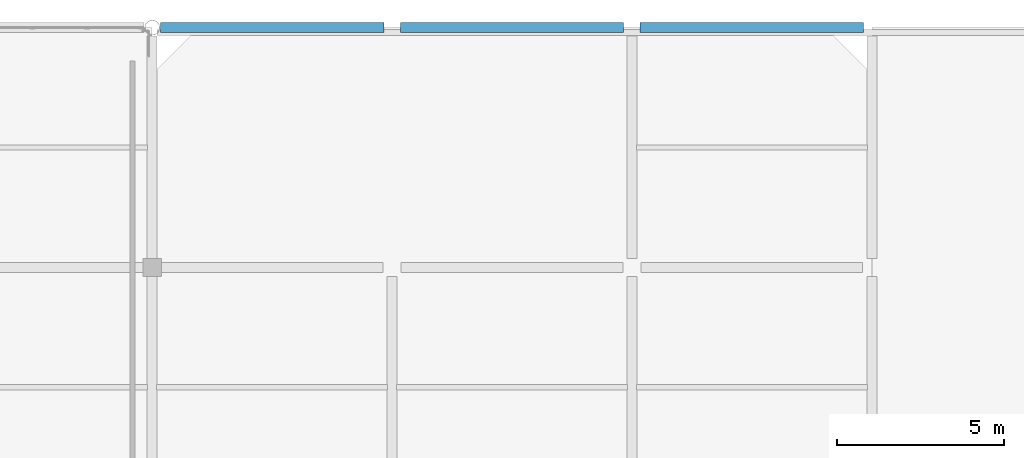
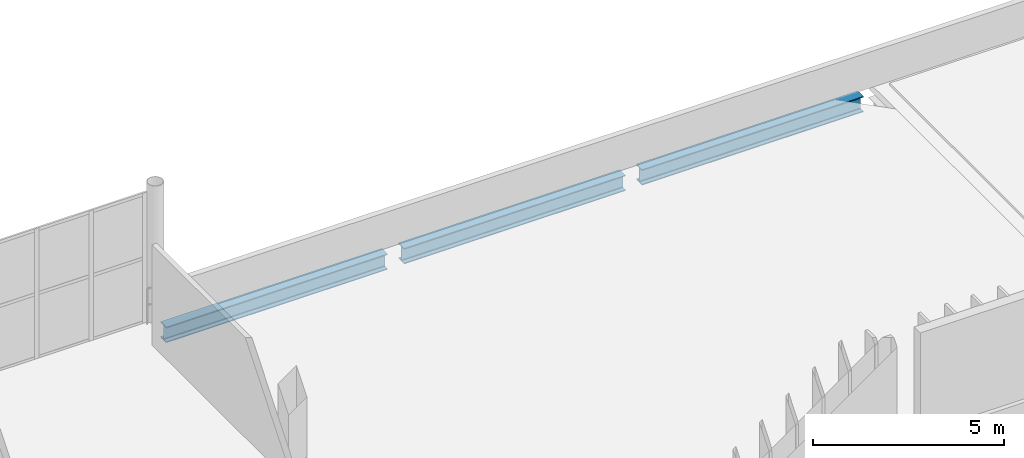
# One storey, part 50 of 81: 3 beams.
"""IFC4 building model written with IfcOpenShell, lengths in metres."""

from ifc_helpers import new_model, si_unit, direction, frame, origin, origin_2d, place, context, subcontext, project, spatial, i_section, extrude, material, material_profile, profile_set, type_object, element, save


model = new_model("IFC4")

# Units and contexts
model_context = context("Model", 3, precision=1e-05, world=origin(), true_north=direction((0.0, 1.0)))
body_context = subcontext(model_context, "Body", "Model", "MODEL_VIEW")
ifc_project = project(units=[si_unit("LENGTHUNIT", "METRE"), si_unit("AREAUNIT", "SQUARE_METRE"), si_unit("VOLUMEUNIT", "CUBIC_METRE"), si_unit("PLANEANGLEUNIT", "RADIAN"), si_unit("MASSUNIT", "GRAM", prefix="KILO")], contexts=[model_context])

# Site, building, storey
site_placement = place(None, origin())
site = spatial("IfcSite", under=ifc_project, at=site_placement, CompositionType="ELEMENT")
building_placement = place(site_placement, origin())
building = spatial("IfcBuilding", under=site, at=building_placement, Name="Qandorah Velis Arena", CompositionType="ELEMENT")
storey_placement = place(building_placement, frame((0.0, 0.0, 18.60009765625)))
storey = spatial("IfcBuildingStorey", under=building, at=storey_placement, Name="L04", CompositionType="ELEMENT", Elevation=18.60009765625)

# Beams
ifc_material = material(Name="Steel S355", Category="steel")
ifc_material_profile = material_profile(ifc_material, i_section(OverallWidth=0.300048828125, OverallDepth=0.5, WebThickness=0.014404296875, FlangeThickness=0.028076171875, FilletRadius=0.027099609375, at=origin_2d()), Name="HEB 500")
ifc_profile_set = profile_set([ifc_material_profile], Name="Steel S355")
beam_type = type_object("IfcBeamType", Name="STR-BM-HEB500", PredefinedType="BEAM", material=ifc_profile_set)
for number, where, z_axis, x_axis, name in (
    (1, (93.85009765625, 129.60009765625, -0.52001953125), (1.0, 0.0, 0.0), (0.0, 1.0, 0.0), "Primary floor girder L04 X-143"),
    (2, (101.050048828125, 129.60009765625, -0.52001953125), (1.0, 0.0, 0.0), (0.0, 1.0, 0.0), "Primary floor girder L04 X-144"),
    (3, (108.25, 129.60009765625, -0.52001953125), (1.0, 0.0, 0.0), (0.0, 1.0, 0.0), "Primary floor girder L04 X-145"),
):
    element("IfcBeam", number, at=place(storey_placement, frame(where, z_axis=z_axis, x_axis=x_axis)), inside=storey, type_object=beam_type, Name=name, PredefinedType="BEAM", context=body_context, shape_type="SweptSolid", body=[
        extrude(i_section(OverallWidth=0.300048828125, OverallDepth=0.5, WebThickness=0.014404296875, FlangeThickness=0.028076171875, FilletRadius=0.027099609375, at=origin_2d()), origin(), (0.0, 0.0, 1.0), 6.699951171875),
    ])

save(model, "model.ifc")
